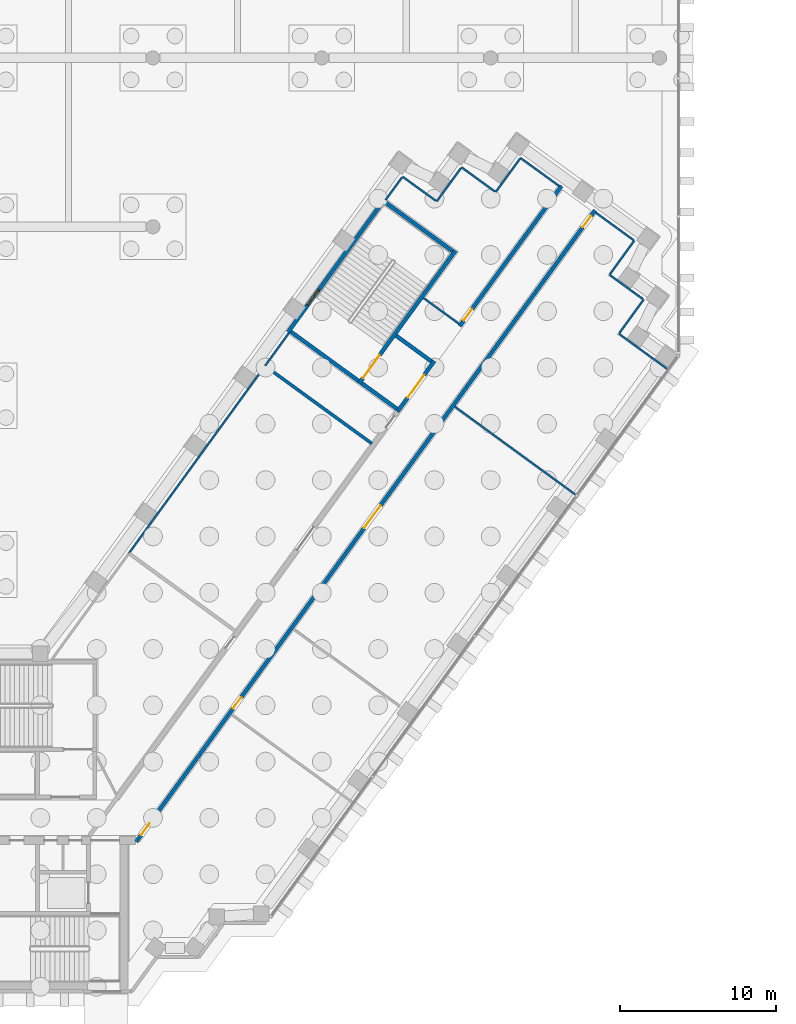
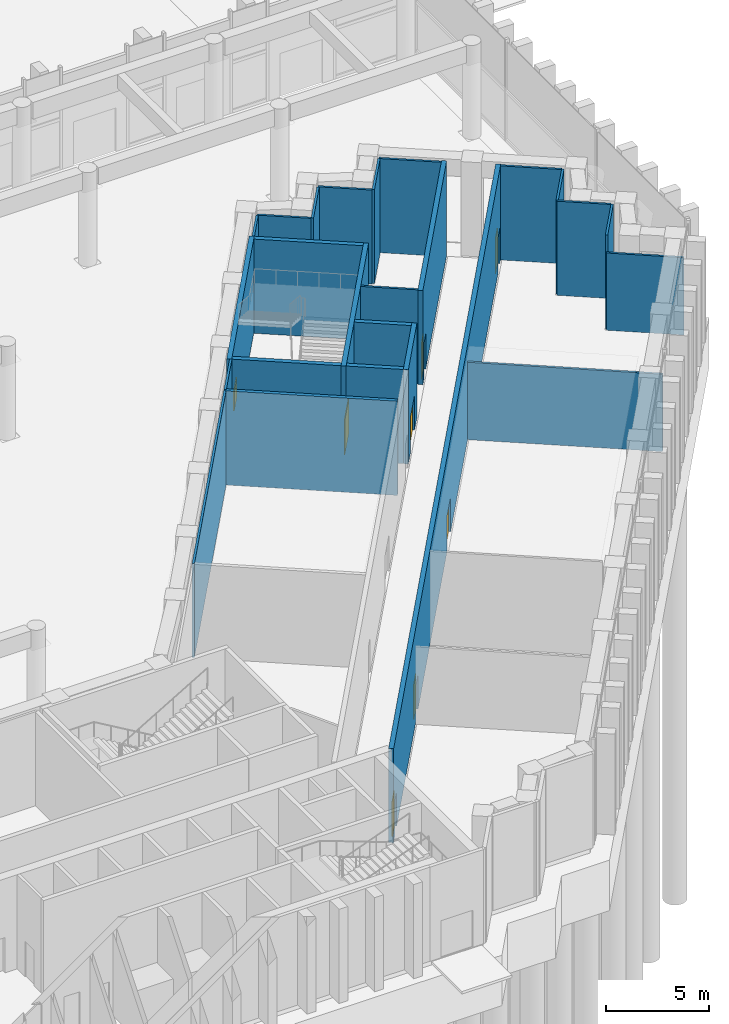
# One storey, part 21 of 32: 25 walls, 7 doors, 1 window, 8 openings.
"""IFC4 building model written with IfcOpenShell, lengths in metres."""

from ifc_helpers import new_model, si_unit, direction, frame, frame_2d, origin, place, context, subcontext, project, spatial, rectangle, extrude, material, layer, layer_set, type_object, element, fill, save


model = new_model("IFC4")

# Units and contexts
model_context = context("Model", 3, precision=1e-05, world=origin(), true_north=direction((0.0, 1.0)))
body_context = subcontext(model_context, "Body", "Model", "MODEL_VIEW")
ifc_project = project(units=[si_unit("LENGTHUNIT", "METRE"), si_unit("AREAUNIT", "SQUARE_METRE"), si_unit("VOLUMEUNIT", "CUBIC_METRE"), si_unit("PLANEANGLEUNIT", "RADIAN"), si_unit("MASSUNIT", "GRAM", prefix="KILO")], contexts=[model_context])

# Site, building, storey
site_placement = place(None, origin())
site = spatial("IfcSite", under=ifc_project, at=site_placement, CompositionType="ELEMENT")
building_placement = place(site_placement, origin())
building = spatial("IfcBuilding", under=site, at=building_placement, Name="Quipu Civic Tower", CompositionType="ELEMENT")
storey_placement = place(building_placement, origin())
storey = spatial("IfcBuildingStorey", under=building, at=storey_placement, Name="L00", CompositionType="ELEMENT", Elevation=0.0)

# Wall
ifc_material_1 = material(Name="Fired clay blockwork", Category="masonry")
ifc_layer_1 = layer(ifc_material_1, 0.199951171875)
ifc_layer_set_1 = layer_set([ifc_layer_1], Name="Fired clay blockwork")
wall_type_1 = type_object("IfcWallType", Name="Blockwork wall 200", PredefinedType="SOLIDWALL", material=ifc_layer_set_1)
wall_1_placement = place(storey_placement, frame((35.59912109375, 23.937744140625, 0.0), z_axis=(0.0, 0.0, 1.0), x_axis=(-0.80904709506, 0.587743820022, 0.0)))
element("IfcWall", 1, at=wall_1_placement, inside=storey, type_object=wall_type_1, Name="Partition P08", PredefinedType="SOLIDWALL", context=body_context, shape_type="SweptSolid", body=[
    extrude(rectangle(XDim=8.449462890625, YDim=0.199951171875, at=frame_2d((4.224609375, 0.0))), origin(), (0.0, 0.0, 1.0), 5.60009765625),
])

# Wall, opening, door
ifc_material_2 = material(Name="Concrete C70/85", Category="concrete")
ifc_layer_2 = layer(ifc_material_2, 0.25)
ifc_layer_set_2 = layer_set([ifc_layer_2], Name="Concrete C70/85")
wall_type_2 = type_object("IfcWallType", Name="Core wall 250", PredefinedType="SHEAR", material=ifc_layer_set_2)
wall_2_placement = place(storey_placement, frame((37.237548828125, 25.979736328125, 0.0), z_axis=(0.0, 0.0, 1.0), x_axis=(0.587772420479, 0.809026317077, 0.0)))
wall_2 = element("IfcWall", 2, at=wall_2_placement, inside=storey, type_object=wall_type_2, Name="Core wall", PredefinedType="SHEAR", context=body_context, shape_type="SweptSolid", body=[
    extrude(rectangle(XDim=4.0, YDim=0.25, at=frame_2d((2.0, 0.0))), origin(), (0.0, 0.0, 1.0), 5.60009765625),
])
opening_1_placement = place(wall_2_placement, frame((1.10009765625, 0.0, 0.0)))
opening_1 = element("IfcOpeningElement", 3, at=opening_1_placement, cuts=wall_2, Name="Opening CD-22", PredefinedType="OPENING", context=body_context, shape_type="SweptSolid", body=[
    extrude(rectangle(XDim=1.800048828125, YDim=2.10009765625, at=frame_2d((0.89990234375, 1.050048828125))), frame((0.0, 0.135009765625, 0.0), z_axis=(0.0, -1.0, 0.0), x_axis=(1.0, 0.0, 0.0)), (0.0, 0.0, 1.0), 0.27001953125),
])
ifc_material_3 = material(Name="Fire rated steel door", Category="steel")
door_type_1 = type_object("IfcDoorType", Name="Fire door FD90 double 1800 x 2100", OperationType="NOTDEFINED", PredefinedType="DOOR", material=ifc_material_3)
door_1_placement = place(opening_1_placement, origin())
door_1 = element("IfcDoor", 4, at=door_1_placement, inside=storey, type_object=door_type_1, Name="Lobby door", OperationType="DOUBLE_DOOR_SINGLE_SWING", OverallHeight=2.10009765625, OverallWidth=1.800048828125, PredefinedType="DOOR", context=body_context, shape_type="SweptSolid", body=[
    extrude(rectangle(XDim=1.800048828125, YDim=2.10009765625, at=frame_2d((0.89990234375, 1.050048828125))), frame((0.0, 0.02490234375, 0.0), z_axis=(0.0, -1.0, 0.0), x_axis=(1.0, 0.0, 0.0)), (0.0, 0.0, 1.0), 0.050048828125),
])
fill(opening_1, door_1)

# Walls
for number, where, z_axis, x_axis, name in (
    (5, (37.2099609375, 26.154296875, 0.0), (0.0, 0.0, 1.0), (-0.809041377956, 0.587751689708, 0.0), "Core wall"),
    (6, (39.4140625, 29.18798828125, 0.0), (0.0, 0.0, 1.0), (-0.808969789945, 0.58785021813, 0.0), "Core wall"),
):
    element("IfcWall", number, at=place(storey_placement, frame(where, z_axis=z_axis, x_axis=x_axis)), inside=storey, type_object=wall_type_2, Name=name, PredefinedType="SHEAR", context=body_context, shape_type="SweptSolid", body=[
        extrude(rectangle(XDim=2.800048828125, YDim=0.25, at=frame_2d((1.39990234375, 0.0))), origin(), (0.0, 0.0, 1.0), 5.60009765625),
    ])

# Wall, opening, door
wall_3_placement = place(storey_placement, frame((34.77001953125, 27.7724609375, 0.0), z_axis=(0.0, 0.0, 1.0), x_axis=(0.587795589702, 0.809009483706, 0.0)))
wall_3 = element("IfcWall", 7, at=wall_3_placement, inside=storey, type_object=wall_type_2, Name="Core wall", PredefinedType="SHEAR", context=body_context, shape_type="SweptSolid", body=[
    extrude(rectangle(XDim=10.5, YDim=0.25, at=frame_2d((5.25, 0.0))), origin(), (0.0, 0.0, 1.0), 5.60009765625),
])
opening_2_placement = place(wall_3_placement, frame((0.449951171875, 0.0, 0.0)))
opening_2 = element("IfcOpeningElement", 8, at=opening_2_placement, cuts=wall_3, Name="Opening CD-23", PredefinedType="OPENING", context=body_context, shape_type="SweptSolid", body=[
    extrude(rectangle(XDim=1.800048828125, YDim=2.10009765625, at=frame_2d((0.89990234375, 1.050048828125))), frame((0.0, 0.135009765625, 0.0), z_axis=(0.0, -1.0, 0.0), x_axis=(1.0, 0.0, 0.0)), (0.0, 0.0, 1.0), 0.27001953125),
])
door_2_placement = place(opening_2_placement, origin())
door_2 = element("IfcDoor", 9, at=door_2_placement, inside=storey, type_object=door_type_1, Name="Door", OperationType="DOUBLE_DOOR_SINGLE_SWING", OverallHeight=2.10009765625, OverallWidth=1.800048828125, PredefinedType="DOOR", context=body_context, shape_type="SweptSolid", body=[
    extrude(rectangle(XDim=1.800048828125, YDim=2.10009765625, at=frame_2d((0.89990234375, 1.050048828125))), frame((0.0, 0.02490234375, 0.0), z_axis=(0.0, -1.0, 0.0), x_axis=(1.0, 0.0, 0.0)), (0.0, 0.0, 1.0), 0.050048828125),
])
fill(opening_2, door_2)

# Walls
wall_4_placement = place(storey_placement, frame((34.742431640625, 27.947021484375, 0.0), z_axis=(0.0, 0.0, 1.0), x_axis=(-0.8089984606, 0.587810760999, 0.0)))
element("IfcWall", 10, at=wall_4_placement, inside=storey, type_object=wall_type_2, Name="Core wall", PredefinedType="SHEAR", context=body_context, shape_type="SweptSolid", body=[
    extrude(rectangle(XDim=5.35009765625, YDim=0.25, at=frame_2d((2.675048828125, 0.0))), origin(), (0.0, 0.0, 1.0), 5.60009765625),
])
wall_5_placement = place(storey_placement, frame((40.76708984375, 36.239501953125, 0.0), z_axis=(0.0, 0.0, 1.0), x_axis=(-0.809020161303, 0.587780893365, 0.0)))
element("IfcWall", 11, at=wall_5_placement, inside=storey, type_object=wall_type_2, Name="Core wall", PredefinedType="SHEAR", context=body_context, shape_type="SweptSolid", body=[
    extrude(rectangle(XDim=5.349853515625, YDim=0.25, at=frame_2d((2.6748046875, 0.0))), origin(), (0.0, 0.0, 1.0), 5.60009765625),
])

# Wall, opening, window
wall_6_placement = place(storey_placement, frame((30.239501953125, 31.06396484375, 0.0), z_axis=(0.0, 0.0, 1.0), x_axis=(0.587795589702, 0.809009483706, 0.0)))
wall_6 = element("IfcWall", 12, at=wall_6_placement, inside=storey, type_object=wall_type_2, Name="Core wall", PredefinedType="SHEAR", context=body_context, shape_type="SweptSolid", body=[
    extrude(rectangle(XDim=10.5, YDim=0.25, at=frame_2d((5.25, 0.0))), origin(), (0.0, 0.0, 1.0), 5.60009765625),
])
opening_3_placement = place(wall_6_placement, frame((2.14990234375, 0.0, 1.0)))
opening_3 = element("IfcOpeningElement", 13, at=opening_3_placement, cuts=wall_6, Name="Opening SV-7", PredefinedType="OPENING", context=body_context, shape_type="SweptSolid", body=[
    extrude(rectangle(XDim=1.199951171875, YDim=1.199951171875, at=frame_2d((0.60009765625, 0.60009765625))), frame((0.0, 0.135009765625, 0.0), z_axis=(0.0, -1.0, 0.0), x_axis=(1.0, 0.0, 0.0)), (0.0, 0.0, 1.0), 0.27001953125),
])
ifc_material_4 = material(Name="Aluminium louvre", Category="aluminium")
window_type = type_object("IfcWindowType", Name="Stair ventilation louvre 1200 x 1200", PartitioningType="SINGLE_PANEL", PredefinedType="WINDOW", material=ifc_material_4)
window_placement = place(opening_3_placement, origin())
window = element("IfcWindow", 14, at=window_placement, inside=storey, type_object=window_type, Name="Stair ventilation opening", OverallHeight=1.199951171875, OverallWidth=1.199951171875, PartitioningType="SINGLE_PANEL", PredefinedType="WINDOW", context=body_context, shape_type="SweptSolid", body=[
    extrude(rectangle(XDim=1.199951171875, YDim=1.199951171875, at=frame_2d((0.60009765625, 0.60009765625))), frame((0.0, 0.030029296875, 0.0), z_axis=(0.0, -1.0, 0.0), x_axis=(1.0, 0.0, 0.0)), (0.0, 0.0, 1.0), 0.06005859375),
])
fill(opening_3, window)

# Wall, openings, doors
ifc_material_5 = material(Name="Concrete C50/60", Category="concrete")
ifc_layer_3 = layer(ifc_material_5, 0.25)
ifc_layer_set_3 = layer_set([ifc_layer_3], Name="Concrete C50/60")
wall_type_3 = type_object("IfcWallType", Name="Corridor wall 250 concrete", PredefinedType="SOLIDWALL", material=ifc_layer_set_3)
wall_7_placement = place(storey_placement, frame((49.86865234375, 38.8564453125, 0.0), z_axis=(0.0, 0.0, 1.0), x_axis=(-0.587784522481, -0.809017524614, 0.0)))
wall_7 = element("IfcWall", 15, at=wall_7_placement, inside=storey, type_object=wall_type_3, Name="Corridor wall C01", PredefinedType="SOLIDWALL", context=body_context, shape_type="SweptSolid", body=[
    extrude(rectangle(XDim=49.912353515625, YDim=0.25, at=frame_2d((24.9560546875, 0.0))), origin(), (0.0, 0.0, 1.0), 5.60009765625),
])
opening_4_placement = place(wall_7_placement, frame((38.49658203125, 0.0, 0.0)))
opening_4 = element("IfcOpeningElement", 16, at=opening_4_placement, cuts=wall_7, Name="Opening D006", PredefinedType="OPENING", context=body_context, shape_type="SweptSolid", body=[
    extrude(rectangle(XDim=0.89990234375, YDim=2.10009765625, at=frame_2d((0.449951171875, 1.050048828125))), frame((0.0, 0.135009765625, 0.0), z_axis=(0.0, -1.0, 0.0), x_axis=(1.0, 0.0, 0.0)), (0.0, 0.0, 1.0), 0.27001953125),
])
opening_5_placement = place(wall_7_placement, frame((0.44189453125, 0.0, 0.0)))
opening_5 = element("IfcOpeningElement", 17, at=opening_5_placement, cuts=wall_7, Name="Opening D008", PredefinedType="OPENING", context=body_context, shape_type="SweptSolid", body=[
    extrude(rectangle(XDim=0.89990234375, YDim=2.10009765625, at=frame_2d((0.449951171875, 1.050048828125))), frame((0.0, 0.135009765625, 0.0), z_axis=(0.0, -1.0, 0.0), x_axis=(1.0, 0.0, 0.0)), (0.0, 0.0, 1.0), 0.27001953125),
])
opening_6_placement = place(wall_7_placement, frame((23.321533203125, 0.0, 0.0)))
opening_6 = element("IfcOpeningElement", 18, at=opening_6_placement, cuts=wall_7, Name="Opening D007", PredefinedType="OPENING", context=body_context, shape_type="SweptSolid", body=[
    extrude(rectangle(XDim=1.800048828125, YDim=2.10009765625, at=frame_2d((0.89990234375, 1.050048828125))), frame((0.0, 0.135009765625, 0.0), z_axis=(0.0, -1.0, 0.0), x_axis=(1.0, 0.0, 0.0)), (0.0, 0.0, 1.0), 0.27001953125),
])
opening_7_placement = place(wall_7_placement, frame((48.4794921875, 0.0, 0.0)))
opening_7 = element("IfcOpeningElement", 19, at=opening_7_placement, cuts=wall_7, Name="Opening D005", PredefinedType="OPENING", context=body_context, shape_type="SweptSolid", body=[
    extrude(rectangle(XDim=0.89990234375, YDim=2.10009765625, at=frame_2d((0.449951171875, 1.050048828125))), frame((0.0, 0.135009765625, 0.0), z_axis=(0.0, -1.0, 0.0), x_axis=(1.0, 0.0, 0.0)), (0.0, 0.0, 1.0), 0.27001953125),
])
ifc_material_6 = material(Name="Fire rated timber door set with metal frame", Category="wood")
door_type_2 = type_object("IfcDoorType", Name="Double door 1800 x 2100 FD60", OperationType="DOUBLE_DOOR_SINGLE_SWING", PredefinedType="DOOR", material=ifc_material_6)
door_3_placement = place(opening_6_placement, origin())
door_3 = element("IfcDoor", 20, at=door_3_placement, inside=storey, type_object=door_type_2, Name="Door D007", OperationType="DOUBLE_DOOR_SINGLE_SWING", OverallHeight=2.10009765625, OverallWidth=1.800048828125, PredefinedType="DOOR", context=body_context, shape_type="SweptSolid", body=[
    extrude(rectangle(XDim=1.800048828125, YDim=2.10009765625, at=frame_2d((0.89990234375, 1.050048828125))), frame((0.0, 0.02490234375, 0.0), z_axis=(0.0, -1.0, 0.0), x_axis=(1.0, 0.0, 0.0)), (0.0, 0.0, 1.0), 0.050048828125),
])
fill(opening_6, door_3)
ifc_material_7 = material(Name="Fire rated timber door set with metal frame", Category="wood")
door_type_3 = type_object("IfcDoorType", Name="Single door 900 x 2100 FD60", OperationType="NOTDEFINED", PredefinedType="DOOR", material=ifc_material_7)
door_4_placement = place(opening_4_placement, origin())
door_4 = element("IfcDoor", 21, at=door_4_placement, inside=storey, type_object=door_type_3, Name="Door D006", OperationType="SINGLE_SWING_RIGHT", OverallHeight=2.10009765625, OverallWidth=0.89990234375, PredefinedType="DOOR", context=body_context, shape_type="SweptSolid", body=[
    extrude(rectangle(XDim=0.89990234375, YDim=2.10009765625, at=frame_2d((0.449951171875, 1.050048828125))), frame((0.0, 0.02490234375, 0.0), z_axis=(0.0, -1.0, 0.0), x_axis=(1.0, 0.0, 0.0)), (0.0, 0.0, 1.0), 0.050048828125),
])
fill(opening_4, door_4)
door_5_placement = place(opening_5_placement, origin())
door_5 = element("IfcDoor", 22, at=door_5_placement, inside=storey, type_object=door_type_3, Name="Door D008", OperationType="SINGLE_SWING_LEFT", OverallHeight=2.10009765625, OverallWidth=0.89990234375, PredefinedType="DOOR", context=body_context, shape_type="SweptSolid", body=[
    extrude(rectangle(XDim=0.89990234375, YDim=2.10009765625, at=frame_2d((0.449951171875, 1.050048828125))), frame((0.0, 0.02490234375, 0.0), z_axis=(0.0, -1.0, 0.0), x_axis=(1.0, 0.0, 0.0)), (0.0, 0.0, 1.0), 0.050048828125),
])
fill(opening_5, door_5)
door_6_placement = place(opening_7_placement, origin())
door_6 = element("IfcDoor", 23, at=door_6_placement, inside=storey, type_object=door_type_3, Name="Door D005", OperationType="SINGLE_SWING_RIGHT", OverallHeight=2.10009765625, OverallWidth=0.89990234375, PredefinedType="DOOR", context=body_context, shape_type="SweptSolid", body=[
    extrude(rectangle(XDim=0.89990234375, YDim=2.10009765625, at=frame_2d((0.449951171875, 1.050048828125))), frame((0.0, 0.02490234375, 0.0), z_axis=(0.0, -1.0, 0.0), x_axis=(1.0, 0.0, 0.0)), (0.0, 0.0, 1.0), 0.050048828125),
])
fill(opening_7, door_6)

# Wall, opening, door
wall_8_placement = place(storey_placement, frame((41.213134765625, 31.451416015625, 0.0), z_axis=(0.0, 0.0, 1.0), x_axis=(0.587773291021, 0.809025684612, 0.0)))
wall_8 = element("IfcWall", 24, at=wall_8_placement, inside=storey, type_object=wall_type_3, Name="Corridor wall C07", PredefinedType="SOLIDWALL", context=body_context, shape_type="SweptSolid", body=[
    extrude(rectangle(XDim=11.07861328125, YDim=0.25, at=frame_2d((5.539306640625, 0.0))), origin(), (0.0, 0.0, 1.0), 5.60009765625),
])
opening_8_placement = place(wall_8_placement, frame((0.44140625, 0.0, 0.0)))
opening_8 = element("IfcOpeningElement", 25, at=opening_8_placement, cuts=wall_8, Name="Opening D004", PredefinedType="OPENING", context=body_context, shape_type="SweptSolid", body=[
    extrude(rectangle(XDim=0.89990234375, YDim=2.10009765625, at=frame_2d((0.449951171875, 1.050048828125))), frame((0.0, 0.135009765625, 0.0), z_axis=(0.0, -1.0, 0.0), x_axis=(1.0, 0.0, 0.0)), (0.0, 0.0, 1.0), 0.27001953125),
])
door_7_placement = place(opening_8_placement, origin())
door_7 = element("IfcDoor", 26, at=door_7_placement, inside=storey, type_object=door_type_3, Name="Door D004", OperationType="SINGLE_SWING_LEFT", OverallHeight=2.10009765625, OverallWidth=0.89990234375, PredefinedType="DOOR", context=body_context, shape_type="SweptSolid", body=[
    extrude(rectangle(XDim=0.89990234375, YDim=2.10009765625, at=frame_2d((0.449951171875, 1.050048828125))), frame((0.0, 0.02490234375, 0.0), z_axis=(0.0, -1.0, 0.0), x_axis=(1.0, 0.0, 0.0)), (0.0, 0.0, 1.0), 0.050048828125),
])
fill(opening_8, door_7)

# Walls
ifc_material_8 = material(Name="Gypsum plasterboard on light gauge framing")
ifc_layer_4 = layer(ifc_material_8, 0.1201171875)
ifc_layer_set_4 = layer_set([ifc_layer_4], Name="Gypsum plasterboard on light gauge framing")
wall_type_4 = type_object("IfcWallType", Name="Partition 120 plasterboard", PredefinedType="PARTITIONING", material=ifc_layer_set_4)
wall_9_placement = place(storey_placement, frame((40.90185546875, 26.30224609375, 0.0), z_axis=(0.0, 0.0, 1.0), x_axis=(0.807691251741, -0.589605666408, 0.0)))
element("IfcWall", 27, at=wall_9_placement, inside=storey, type_object=wall_type_4, Name="Partition P03", PredefinedType="PARTITIONING", context=body_context, shape_type="SweptSolid", body=[
    extrude(rectangle(XDim=9.55029296875, YDim=0.1201171875, at=frame_2d((4.775146484375, 0.0))), origin(), (0.0, 0.0, 1.0), 4.60009765625),
])
wall_10_placement = place(storey_placement, frame((47.570068359375, 40.4130859375, 0.0), z_axis=(0.0, 0.0, 1.0), x_axis=(-0.809040528978, 0.587752858326, 0.0)))
element("IfcWall", 28, at=wall_10_placement, inside=storey, type_object=wall_type_4, Name="Partition P12", PredefinedType="PARTITIONING", context=body_context, shape_type="SweptSolid", body=[
    extrude(rectangle(XDim=3.050537109375, YDim=0.1201171875, at=frame_2d((1.525390625, 0.0))), origin(), (0.0, 0.0, 1.0), 5.60009765625),
])
for number, where, z_axis, x_axis, name in (
    (29, (45.066650390625, 42.157470703125, 0.0), (0.0, 0.0, 1.0), (-0.587841698287, -0.80897598095, 0.0), "Partition P13"),
    (30, (43.466552734375, 40.057373046875, 0.0), (0.0, 0.0, 1.0), (-0.809019962828, 0.587781166545, 0.0), "Partition P14"),
    (31, (41.295654296875, 41.560546875, 0.0), (0.0, 0.0, 1.0), (-0.587841698287, -0.80897598095, 0.0), "Partition P15"),
):
    element("IfcWall", number, at=place(storey_placement, frame(where, z_axis=z_axis, x_axis=x_axis)), inside=storey, type_object=wall_type_4, Name=name, PredefinedType="PARTITIONING", context=body_context, shape_type="SweptSolid", body=[
        extrude(rectangle(XDim=2.6396484375, YDim=0.1201171875, at=frame_2d((1.31982421875, 0.0))), origin(), (0.0, 0.0, 1.0), 5.60009765625),
    ])
wall_11_placement = place(storey_placement, frame((39.6953125, 39.460205078125, 0.0), z_axis=(0.0, 0.0, 1.0), x_axis=(-0.809247697456, 0.587467585627, 0.0)))
element("IfcWall", 32, at=wall_11_placement, inside=storey, type_object=wall_type_4, Name="Partition P16", PredefinedType="PARTITIONING", context=body_context, shape_type="SweptSolid", body=[
    extrude(rectangle(XDim=2.639892578125, YDim=0.1201171875, at=frame_2d((1.31982421875, 0.0))), origin(), (0.0, 0.0, 1.0), 5.60009765625),
])
wall_12_placement = place(storey_placement, frame((37.523681640625, 40.96240234375, 0.0), z_axis=(0.0, 0.0, 1.0), x_axis=(-0.587814664923, -0.808995624031, 0.0)))
element("IfcWall", 33, at=wall_12_placement, inside=storey, type_object=wall_type_4, Name="Partition P17", PredefinedType="PARTITIONING", context=body_context, shape_type="SweptSolid", body=[
    extrude(rectangle(XDim=1.789306640625, YDim=0.1201171875, at=frame_2d((0.89453125, 0.0))), origin(), (0.0, 0.0, 1.0), 5.60009765625),
])
wall_13_placement = place(storey_placement, frame((54.467529296875, 28.726318359375, 0.0), z_axis=(0.0, 0.0, 1.0), x_axis=(-0.808850019799, 0.588015004461, 0.0)))
element("IfcWall", 34, at=wall_13_placement, inside=storey, type_object=wall_type_4, Name="Partition P18", PredefinedType="PARTITIONING", context=body_context, shape_type="SweptSolid", body=[
    extrude(rectangle(XDim=3.798583984375, YDim=0.1201171875, at=frame_2d((1.8994140625, 0.0))), origin(), (0.0, 0.0, 1.0), 4.60009765625),
])
wall_14_placement = place(storey_placement, frame((51.43017578125, 31.008544921875, 0.0), z_axis=(0.0, 0.0, 1.0), x_axis=(0.587423619839, 0.809279612282, 0.0)))
element("IfcWall", 35, at=wall_14_placement, inside=storey, type_object=wall_type_4, Name="Partition P19", PredefinedType="PARTITIONING", context=body_context, shape_type="SweptSolid", body=[
    extrude(rectangle(XDim=2.639892578125, YDim=0.1201171875, at=frame_2d((1.31982421875, 0.0))), origin(), (0.0, 0.0, 1.0), 5.60009765625),
])
wall_15_placement = place(storey_placement, frame((52.9326171875, 33.180419921875, 0.0), z_axis=(0.0, 0.0, 1.0), x_axis=(-0.809019962828, 0.587781166545, 0.0)))
element("IfcWall", 36, at=wall_15_placement, inside=storey, type_object=wall_type_4, Name="Partition P20", PredefinedType="PARTITIONING", context=body_context, shape_type="SweptSolid", body=[
    extrude(rectangle(XDim=2.6396484375, YDim=0.1201171875, at=frame_2d((1.31982421875, 0.0))), origin(), (0.0, 0.0, 1.0), 5.60009765625),
])
wall_16_placement = place(storey_placement, frame((50.832275390625, 34.780517578125, 0.0), z_axis=(0.0, 0.0, 1.0), x_axis=(0.587599512076, 0.80915190997, 0.0)))
element("IfcWall", 37, at=wall_16_placement, inside=storey, type_object=wall_type_4, Name="Partition P21", PredefinedType="PARTITIONING", context=body_context, shape_type="SweptSolid", body=[
    extrude(rectangle(XDim=2.63916015625, YDim=0.1201171875, at=frame_2d((1.319580078125, 0.0))), origin(), (0.0, 0.0, 1.0), 5.60009765625),
])
wall_17_placement = place(storey_placement, frame((52.33447265625, 36.951416015625, 0.0), z_axis=(0.0, 0.0, 1.0), x_axis=(-0.808944382174, 0.587885181433, 0.0)))
element("IfcWall", 38, at=wall_17_placement, inside=storey, type_object=wall_type_4, Name="Partition P22", PredefinedType="PARTITIONING", context=body_context, shape_type="SweptSolid", body=[
    extrude(rectangle(XDim=2.98974609375, YDim=0.1201171875, at=frame_2d((1.494873046875, 0.0))), origin(), (0.0, 0.0, 1.0), 5.60009765625),
])
wall_18_placement = place(storey_placement, frame((28.77490234375, 28.919921875, 0.0), z_axis=(0.0, 0.0, 1.0), x_axis=(-0.587802132171, -0.809004730156, 0.0)))
element("IfcWall", 39, at=wall_18_placement, inside=storey, type_object=wall_type_4, Name="Partition P34", PredefinedType="PARTITIONING", context=body_context, shape_type="SweptSolid", body=[
    extrude(rectangle(XDim=14.850341796875, YDim=0.1201171875, at=frame_2d((7.42529296875, 0.0))), origin(), (0.0, 0.0, 1.0), 5.60009765625),
])
wall_19_placement = place(storey_placement, frame((30.300048828125, 31.02001953125, 0.0), z_axis=(0.0, 0.0, 1.0), x_axis=(-0.587617853313, -0.809138590396, 0.0)))
element("IfcWall", 40, at=wall_19_placement, inside=storey, type_object=wall_type_4, Name="Partition P40", PredefinedType="PARTITIONING", context=body_context, shape_type="SweptSolid", body=[
    extrude(rectangle(XDim=2.595458984375, YDim=0.1201171875, at=frame_2d((1.2978515625, 0.0))), origin(), (0.0, 0.0, 1.0), 5.60009765625),
])
wall_20_placement = place(storey_placement, frame((38.89990234375, 33.2451171875, 0.0), z_axis=(0.0, 0.0, 1.0), x_axis=(0.809090262332, -0.587684394381, 0.0)))
element("IfcWall", 41, at=wall_20_placement, inside=storey, type_object=wall_type_4, Name="Partition P41", PredefinedType="PARTITIONING", context=body_context, shape_type="SweptSolid", body=[
    extrude(rectangle(XDim=2.80078125, YDim=0.1201171875, at=frame_2d((1.400390625, 0.0))), origin(), (0.0, 0.0, 1.0), 5.60009765625),
])

save(model, "model.ifc")
